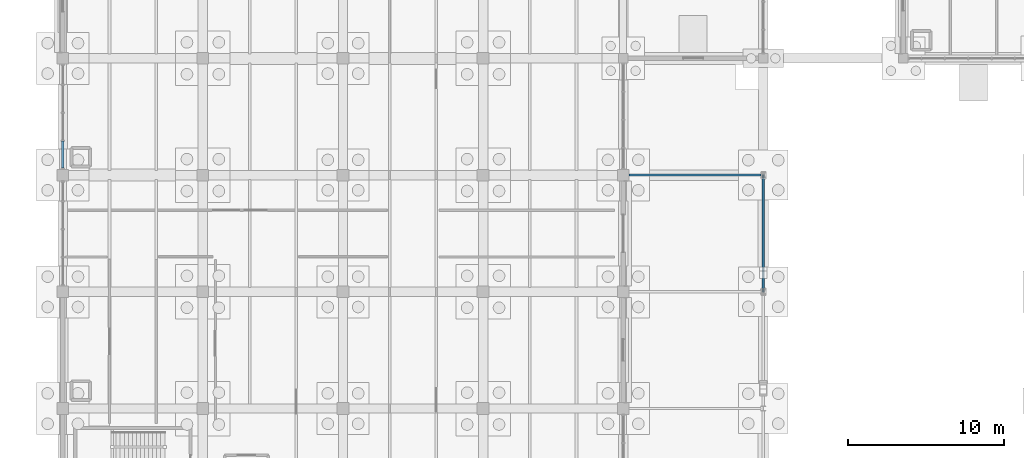
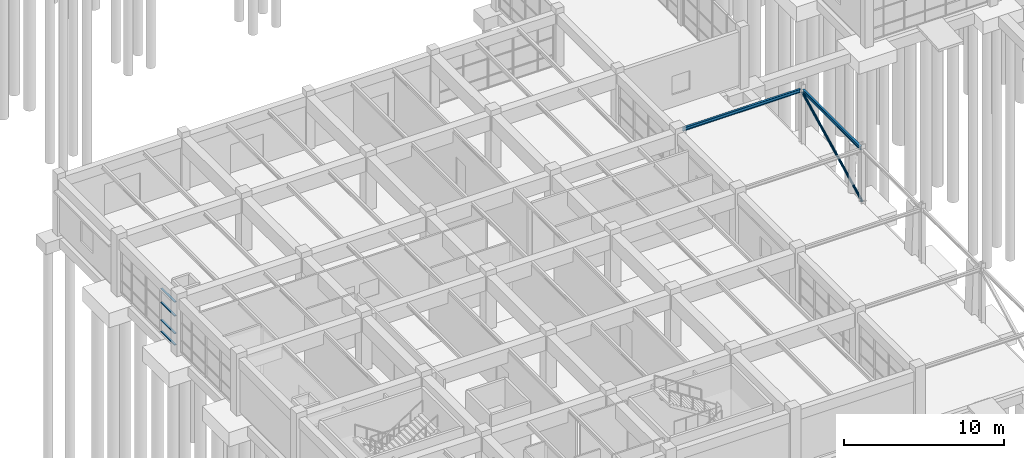
# One storey, part 18 of 93: 5 members, 2 beams, 1 element without a shape of its own.
"""IFC4 building model written with IfcOpenShell, lengths in metres."""

from ifc_helpers import new_model, si_unit, direction, frame, origin, origin_2d, place, context, subcontext, project, spatial, rectangle, hollow_circle, i_section, extrude, material, layer, layer_set, material_profile, profile_set, type_object, element, aggregate, save


model = new_model("IFC4")

# Units and contexts
model_context = context("Model", 3, precision=1e-05, world=origin(), true_north=direction((0.0, 1.0)))
body_context = subcontext(model_context, "Body", "Model", "MODEL_VIEW")
ifc_project = project(units=[si_unit("LENGTHUNIT", "METRE"), si_unit("AREAUNIT", "SQUARE_METRE"), si_unit("VOLUMEUNIT", "CUBIC_METRE"), si_unit("PLANEANGLEUNIT", "RADIAN"), si_unit("MASSUNIT", "GRAM", prefix="KILO")], contexts=[model_context])

# Site, building, storey
site_placement = place(None, origin())
site = spatial("IfcSite", under=ifc_project, at=site_placement, CompositionType="ELEMENT")
building_placement = place(site_placement, origin())
building = spatial("IfcBuilding", under=site, at=building_placement, Name="Marnridge Secondary College", CompositionType="ELEMENT")
storey_placement = place(building_placement, origin())
storey = spatial("IfcBuildingStorey", under=building, at=storey_placement, Name="L00", CompositionType="ELEMENT", Elevation=0.0)

# Beams
ifc_material_1 = material(Name="Structural steel Grade 350 (AS/NZS 3679.1/.2, fy = 340-360 MPa)", Category="steel")
ifc_material_profile_1 = material_profile(ifc_material_1, i_section(OverallWidth=0.146240234375, OverallDepth=0.256103515625, WebThickness=0.00634765625, FlangeThickness=0.010986328125, FilletRadius=0.0087890625, at=origin_2d()), Name="250UB37.3")
ifc_profile_set_1 = profile_set([ifc_material_profile_1], Name="Structural steel Grade 350 (AS/NZS 3679.1/.2, fy = 340-360 MPa)")
beam_type = type_object("IfcBeamType", Name="BM-UB250-EXT", PredefinedType="LINTEL", material=ifc_profile_set_1)
beam_1_placement = place(storey_placement, frame((45.0, 22.64794921875, 4.031982421875), z_axis=(0.0, 1.0, 0.0), x_axis=(-1.0, 0.0, 0.0)))
element("IfcBeam", 1, at=beam_1_placement, inside=storey, type_object=beam_type, Name="Beam BL-L00-1463", PredefinedType="LINTEL", context=body_context, shape_type="SweptSolid", body=[
    extrude(i_section(OverallWidth=0.146240234375, OverallDepth=0.256103515625, WebThickness=0.00634765625, FlangeThickness=0.010986328125, FilletRadius=0.0087890625, at=origin_2d()), origin(), (0.0, 0.0, 1.0), 7.2041015625),
])
beam_2_placement = place(storey_placement, frame((36.368896484375, 30.0, 4.031982421875), z_axis=(1.0, 0.0, 0.0), x_axis=(0.0, 1.0, 0.0)))
element("IfcBeam", 2, at=beam_2_placement, inside=storey, type_object=beam_type, Name="Beam BL-L00-1468", PredefinedType="LINTEL", context=body_context, shape_type="SweptSolid", body=[
    extrude(i_section(OverallWidth=0.146240234375, OverallDepth=0.256103515625, WebThickness=0.00634765625, FlangeThickness=0.010986328125, FilletRadius=0.0087890625, at=origin_2d()), origin(), (0.0, 0.0, 1.0), 8.484619140625),
])

# Curtain wall, members
ifc_material_2 = material(Name="Bronze-anodised aluminium and solar-control glazing", Category="aluminium")
ifc_layer = layer(ifc_material_2, 0.199951171875)
ifc_layer_set = layer_set([ifc_layer], Name="CW-MOD-1800")
curtain_wall_type = type_object("IfcCurtainWallType", Name="CW-MOD-1800", PredefinedType="NOTDEFINED", material=ifc_layer_set)
curtain_wall_placement = place(storey_placement, origin())
curtain_wall = element("IfcCurtainWall", 3, at=curtain_wall_placement, inside=storey, type_object=curtain_wall_type, Name="Unitised curtain wall CW-L00-027", PredefinedType="NOTDEFINED")
ifc_material_3 = material(Name="Anodised aluminium 6063-T6", Category="aluminium")
ifc_material_profile_2 = material_profile(ifc_material_3, rectangle(XDim=0.06494140625, YDim=0.139892578125, at=origin_2d()), Name="ALU 65x140")
ifc_profile_set_2 = profile_set([ifc_material_profile_2], Name="Anodised aluminium 6063-T6")
member_type_1 = type_object("IfcMemberType", Name="CWT-ALU140", PredefinedType="USERDEFINED", material=ifc_profile_set_2)
member_1_placement = place(storey_placement, frame((0.0, 30.448974609375, 0.032470703125), z_axis=(0.0, 1.0, 0.0), x_axis=(0.0, 0.0, 1.0)))
member_1 = element("IfcMember", 4, at=member_1_placement, type_object=member_type_1, Name="CW-L00-027 transom 1.1", ObjectType="TRANSOM", PredefinedType="USERDEFINED", context=body_context, shape_type="SweptSolid", body=[
    extrude(rectangle(XDim=0.06494140625, YDim=0.139892578125, at=origin_2d()), origin(), (0.0, 0.0, 1.0), 1.72998046875),
])
member_2_placement = place(storey_placement, frame((0.0, 30.448974609375, 0.89990234375), z_axis=(0.0, 1.0, 0.0), x_axis=(0.0, 0.0, 1.0)))
member_2 = element("IfcMember", 5, at=member_2_placement, type_object=member_type_1, Name="CW-L00-027 transom 1.2", ObjectType="TRANSOM", PredefinedType="USERDEFINED", context=body_context, shape_type="SweptSolid", body=[
    extrude(rectangle(XDim=0.06494140625, YDim=0.139892578125, at=origin_2d()), origin(), (0.0, 0.0, 1.0), 1.72998046875),
])
member_3_placement = place(storey_placement, frame((0.0, 30.448974609375, 2.25), z_axis=(0.0, 1.0, 0.0), x_axis=(0.0, 0.0, 1.0)))
member_3 = element("IfcMember", 6, at=member_3_placement, type_object=member_type_1, Name="CW-L00-027 transom 1.3", ObjectType="TRANSOM", PredefinedType="USERDEFINED", context=body_context, shape_type="SweptSolid", body=[
    extrude(rectangle(XDim=0.06494140625, YDim=0.139892578125, at=origin_2d()), origin(), (0.0, 0.0, 1.0), 1.72998046875),
])
member_4_placement = place(storey_placement, frame((0.0, 30.448974609375, 3.299560546875), z_axis=(0.0, 1.0, 0.0), x_axis=(0.0, 0.0, 1.0)))
member_4 = element("IfcMember", 7, at=member_4_placement, type_object=member_type_1, Name="CW-L00-027 transom 1.4", ObjectType="TRANSOM", PredefinedType="USERDEFINED", context=body_context, shape_type="SweptSolid", body=[
    extrude(rectangle(XDim=0.06494140625, YDim=0.139892578125, at=origin_2d()), origin(), (0.0, 0.0, 1.0), 1.72998046875),
])
aggregate(curtain_wall, [member_1, member_2, member_3, member_4])

# Member
ifc_material_4 = material(Name="Cold-formed steel Grade C350L0 (AS/NZS 1163, fy = 350 MPa)", Category="steel")
ifc_material_profile_3 = material_profile(ifc_material_4, hollow_circle(Radius=0.084228515625, WallThickness=0.00634765625, at=origin_2d()), Name="168.3x6.4CHS")
ifc_profile_set_3 = profile_set([ifc_material_profile_3], Name="Cold-formed steel Grade C350L0 (AS/NZS 1163, fy = 350 MPa)")
member_type_2 = type_object("IfcMemberType", Name="MB-BR-CHS168", PredefinedType="BRACE", material=ifc_profile_set_3)
member_5_placement = place(storey_placement, frame((45.0, 22.5, 0.050048828125), z_axis=(0.0, 0.892033434612, 0.451969414379), x_axis=(-1.0, 0.0, 0.0)))
element("IfcMember", 8, at=member_5_placement, inside=storey, type_object=member_type_2, Name="Lateral brace BR-003", PredefinedType="BRACE", context=body_context, shape_type="SweptSolid", body=[
    extrude(hollow_circle(Radius=0.084228515625, WallThickness=0.00634765625, at=origin_2d()), origin(), (0.0, 0.0, 1.0), 8.40771484375),
])

save(model, "model.ifc")
